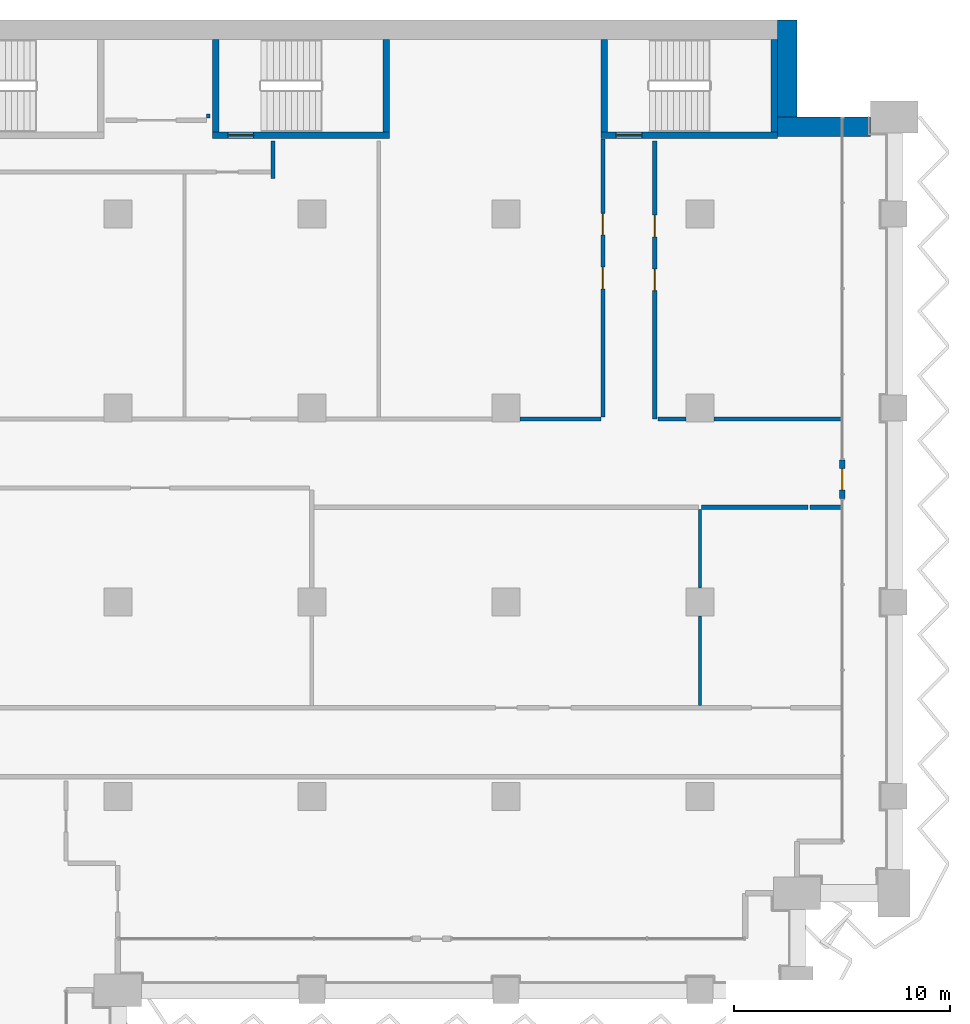
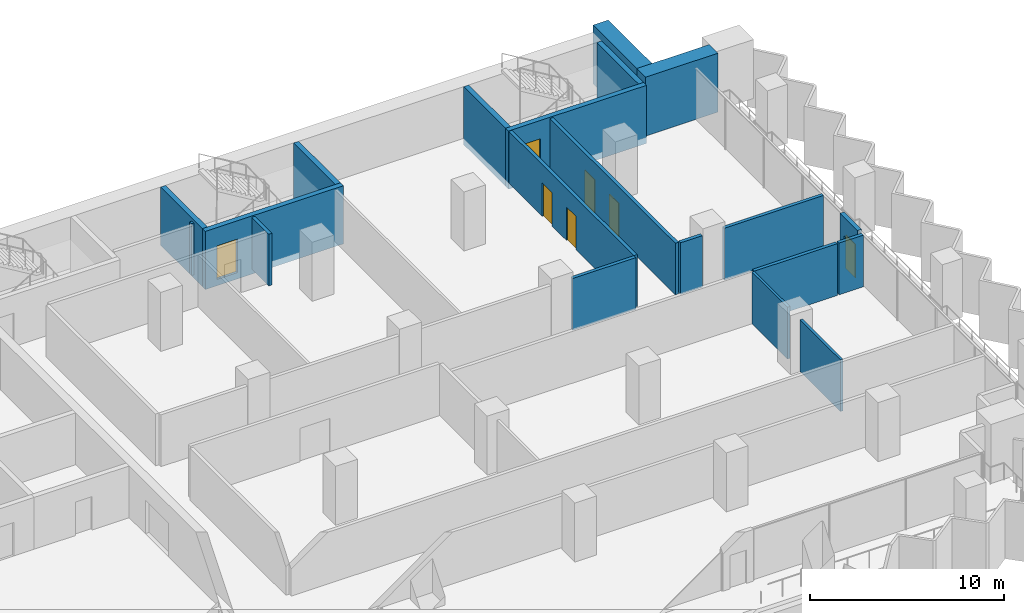
# One storey, part 15 of 23: 20 walls, 7 doors, 7 openings.
"""IFC4 building model written with IfcOpenShell, lengths in metres."""

from ifc_helpers import new_model, si_unit, direction, frame, frame_2d, origin, place, context, subcontext, project, spatial, rectangle, extrude, material, layer, layer_set, type_object, element, fill, save


model = new_model("IFC4")

# Units and contexts
model_context = context("Model", 3, precision=1e-05, world=origin(), true_north=direction((0.0, 1.0)))
body_context = subcontext(model_context, "Body", "Model", "MODEL_VIEW")
ifc_project = project(units=[si_unit("LENGTHUNIT", "METRE"), si_unit("AREAUNIT", "SQUARE_METRE"), si_unit("VOLUMEUNIT", "CUBIC_METRE"), si_unit("PLANEANGLEUNIT", "RADIAN"), si_unit("MASSUNIT", "GRAM", prefix="KILO")], contexts=[model_context])

# Site, building, storey
site_placement = place(None, origin())
site = spatial("IfcSite", under=ifc_project, at=site_placement, CompositionType="ELEMENT")
building_placement = place(site_placement, origin())
building = spatial("IfcBuilding", under=site, at=building_placement, Name="Hunhe Ridgeline Campus", CompositionType="ELEMENT")
storey_placement = place(building_placement, frame((0.0, 0.0, 125.5)))
storey = spatial("IfcBuildingStorey", under=building, at=storey_placement, Name="L31", CompositionType="ELEMENT", Elevation=125.5)

# Walls
ifc_material_1 = material(Name="Gypsum board partition")
ifc_layer_1 = layer(ifc_material_1, 0.199951171875)
ifc_layer_set_1 = layer_set([ifc_layer_1], Name="Corridor partition 200 gypsum board on steel studs")
wall_type_1 = type_object("IfcWallType", Name="Corridor partition 200 gypsum board on steel studs", PredefinedType="PARTITIONING", material=ifc_layer_set_1)
wall_1_placement = place(storey_placement, frame((76.9990234375, 76.40087890625, 0.0), z_axis=(0.0, 0.0, 1.0), x_axis=(-1.0, 0.0, 0.0)))
element("IfcWall", 1, at=wall_1_placement, inside=storey, type_object=wall_type_1, Name="F-L31-wall-042", PredefinedType="PARTITIONING", context=body_context, shape_type="SweptSolid", body=[
    extrude(rectangle(XDim=4.924072265625, YDim=0.199951171875, at=frame_2d((2.4619140625, 0.0))), origin(), (0.0, 0.0, 1.0), 3.25),
])
wall_2_placement = place(storey_placement, frame((78.544921875, 76.40087890625, 0.0), z_axis=(0.0, 0.0, 1.0), x_axis=(-1.0, 0.0, 0.0)))
element("IfcWall", 2, at=wall_2_placement, inside=storey, type_object=wall_type_1, Name="F-L31-wall-043", PredefinedType="PARTITIONING", context=body_context, shape_type="SweptSolid", body=[
    extrude(rectangle(XDim=1.44580078125, YDim=0.199951171875, at=frame_2d((0.722900390625, 0.0))), origin(), (0.0, 0.0, 1.0), 3.25),
])
wall_3_placement = place(storey_placement, frame((63.64990234375, 80.5, 0.0), z_axis=(0.0, 0.0, 1.0), x_axis=(1.0, 0.0, 0.0)))
element("IfcWall", 3, at=wall_3_placement, inside=storey, type_object=wall_type_1, Name="F-L31-wall-048", PredefinedType="PARTITIONING", context=body_context, shape_type="SweptSolid", body=[
    extrude(rectangle(XDim=3.75, YDim=0.199951171875, at=frame_2d((1.875, 0.0))), origin(), (0.0, 0.0, 1.0), 3.25),
])
wall_4_placement = place(storey_placement, frame((70.056884765625, 80.5, 0.0), z_axis=(0.0, 0.0, 1.0), x_axis=(1.0, 0.0, 0.0)))
element("IfcWall", 4, at=wall_4_placement, inside=storey, type_object=wall_type_1, Name="F-L31-wall-049", PredefinedType="PARTITIONING", context=body_context, shape_type="SweptSolid", body=[
    extrude(rectangle(XDim=1.293212890625, YDim=0.199951171875, at=frame_2d((0.646484375, 0.0))), origin(), (0.0, 0.0, 1.0), 3.25),
])
wall_5_placement = place(storey_placement, frame((72.64990234375, 80.5, 0.0), z_axis=(0.0, 0.0, 1.0), x_axis=(1.0, 0.0, 0.0)))
element("IfcWall", 5, at=wall_5_placement, inside=storey, type_object=wall_type_1, Name="F-L31-wall-050", PredefinedType="PARTITIONING", context=body_context, shape_type="SweptSolid", body=[
    extrude(rectangle(XDim=5.89501953125, YDim=0.199951171875, at=frame_2d((2.947509765625, 0.0))), origin(), (0.0, 0.0, 1.0), 3.25),
])
wall_6_placement = place(storey_placement, frame((52.199951171875, 93.39599609375, 0.0), z_axis=(0.0, 0.0, 1.0), x_axis=(0.0, -1.0, 0.0)))
element("IfcWall", 6, at=wall_6_placement, inside=storey, type_object=wall_type_1, Name="F-L31-wall-071", PredefinedType="PARTITIONING", context=body_context, shape_type="SweptSolid", body=[
    extrude(rectangle(XDim=1.74609375, YDim=0.199951171875, at=frame_2d((0.873046875, 0.0))), origin(), (0.0, 0.0, 1.0), 3.25),
])

# Wall, openings, doors
wall_7_placement = place(storey_placement, frame((67.5, 80.60009765625, 0.0), z_axis=(0.0, 0.0, 1.0), x_axis=(0.0, 1.0, 0.0)))
wall_7 = element("IfcWall", 7, at=wall_7_placement, inside=storey, type_object=wall_type_1, Name="F-L31-wall-075", PredefinedType="PARTITIONING", context=body_context, shape_type="SweptSolid", body=[
    extrude(rectangle(XDim=12.869873046875, YDim=0.199951171875, at=frame_2d((6.43505859375, 0.0))), origin(), (0.0, 0.0, 1.0), 3.25),
])
opening_1_placement = place(wall_7_placement, frame((5.93505859375, 0.0, 0.0)))
opening_1 = element("IfcOpeningElement", 8, at=opening_1_placement, cuts=wall_7, Name="Opening RD1-030", PredefinedType="OPENING", context=body_context, shape_type="SweptSolid", body=[
    extrude(rectangle(XDim=1.0, YDim=2.10009765625, at=frame_2d((0.5, 1.050048828125))), frame((0.0, 0.10009765625, 0.0), z_axis=(0.0, -1.0, 0.0), x_axis=(1.0, 0.0, 0.0)), (0.0, 0.0, 1.0), 0.199951171875),
])
opening_2_placement = place(wall_7_placement, frame((8.43505859375, 0.0, 0.0)))
opening_2 = element("IfcOpeningElement", 9, at=opening_2_placement, cuts=wall_7, Name="Opening RD1-033", PredefinedType="OPENING", context=body_context, shape_type="SweptSolid", body=[
    extrude(rectangle(XDim=1.0, YDim=2.10009765625, at=frame_2d((0.5, 1.050048828125))), frame((0.0, 0.10009765625, 0.0), z_axis=(0.0, -1.0, 0.0), x_axis=(1.0, 0.0, 0.0)), (0.0, 0.0, 1.0), 0.199951171875),
])
ifc_material_2 = material(Name="Timber door leaf", Category="wood")
door_type_1 = type_object("IfcDoorType", Name="Single fire door 1000x2100 timber FD60", OperationType="NOTDEFINED", PredefinedType="DOOR", material=ifc_material_2)
door_1_placement = place(opening_1_placement, frame((1.0, 0.0, 0.0), z_axis=(0.0, 0.0, 1.0), x_axis=(-1.0, 0.0, 0.0)))
door_1 = element("IfcDoor", 10, at=door_1_placement, inside=storey, type_object=door_type_1, Name="F-L31-door-030", OperationType="SINGLE_SWING_LEFT", OverallHeight=2.10009765625, OverallWidth=1.0, PredefinedType="DOOR", context=body_context, shape_type="SweptSolid", body=[
    extrude(rectangle(XDim=1.0, YDim=2.10009765625, at=frame_2d((0.5, 1.050048828125))), frame((0.0, 0.02490234375, 0.0), z_axis=(0.0, -1.0, 0.0), x_axis=(1.0, 0.0, 0.0)), (0.0, 0.0, 1.0), 0.050048828125),
])
fill(opening_1, door_1)
door_2_placement = place(opening_2_placement, frame((1.0, 0.0, 0.0), z_axis=(0.0, 0.0, 1.0), x_axis=(-1.0, 0.0, 0.0)))
door_2 = element("IfcDoor", 11, at=door_2_placement, inside=storey, type_object=door_type_1, Name="F-L31-door-033", OperationType="SINGLE_SWING_LEFT", OverallHeight=2.10009765625, OverallWidth=1.0, PredefinedType="DOOR", context=body_context, shape_type="SweptSolid", body=[
    extrude(rectangle(XDim=1.0, YDim=2.10009765625, at=frame_2d((0.5, 1.050048828125))), frame((0.0, 0.02490234375, 0.0), z_axis=(0.0, -1.0, 0.0), x_axis=(1.0, 0.0, 0.0)), (0.0, 0.0, 1.0), 0.050048828125),
])
fill(opening_2, door_2)

wall_8_placement = place(storey_placement, frame((69.89990234375, 93.39599609375, 0.0), z_axis=(0.0, 0.0, 1.0), x_axis=(0.0, -1.0, 0.0)))
wall_8 = element("IfcWall", 12, at=wall_8_placement, inside=storey, type_object=wall_type_1, Name="F-L31-wall-076", PredefinedType="PARTITIONING", context=body_context, shape_type="SweptSolid", body=[
    extrude(rectangle(XDim=12.89599609375, YDim=0.199951171875, at=frame_2d((6.447998046875, 0.0))), origin(), (0.0, 0.0, 1.0), 3.25),
])
opening_3_placement = place(wall_8_placement, frame((5.947998046875, 0.0, 0.0)))
opening_3 = element("IfcOpeningElement", 13, at=opening_3_placement, cuts=wall_8, Name="Opening RD1-029", PredefinedType="OPENING", context=body_context, shape_type="SweptSolid", body=[
    extrude(rectangle(XDim=1.0, YDim=2.10009765625, at=frame_2d((0.5, 1.050048828125))), frame((0.0, 0.10009765625, 0.0), z_axis=(0.0, -1.0, 0.0), x_axis=(1.0, 0.0, 0.0)), (0.0, 0.0, 1.0), 0.199951171875),
])
opening_4_placement = place(wall_8_placement, frame((3.447998046875, 0.0, 0.0)))
opening_4 = element("IfcOpeningElement", 14, at=opening_4_placement, cuts=wall_8, Name="Opening RD1-032", PredefinedType="OPENING", context=body_context, shape_type="SweptSolid", body=[
    extrude(rectangle(XDim=1.0, YDim=2.10009765625, at=frame_2d((0.5, 1.050048828125))), frame((0.0, 0.10009765625, 0.0), z_axis=(0.0, -1.0, 0.0), x_axis=(1.0, 0.0, 0.0)), (0.0, 0.0, 1.0), 0.199951171875),
])
door_3_placement = place(opening_3_placement, frame((1.0, 0.0, 0.0), z_axis=(0.0, 0.0, 1.0), x_axis=(-1.0, 0.0, 0.0)))
door_3 = element("IfcDoor", 15, at=door_3_placement, inside=storey, type_object=door_type_1, Name="F-L31-door-029", OperationType="SINGLE_SWING_RIGHT", OverallHeight=2.10009765625, OverallWidth=1.0, PredefinedType="DOOR", context=body_context, shape_type="SweptSolid", body=[
    extrude(rectangle(XDim=1.0, YDim=2.10009765625, at=frame_2d((0.5, 1.050048828125))), frame((0.0, 0.02490234375, 0.0), z_axis=(0.0, -1.0, 0.0), x_axis=(1.0, 0.0, 0.0)), (0.0, 0.0, 1.0), 0.050048828125),
])
fill(opening_3, door_3)
door_4_placement = place(opening_4_placement, frame((1.0, 0.0, 0.0), z_axis=(0.0, 0.0, 1.0), x_axis=(-1.0, 0.0, 0.0)))
door_4 = element("IfcDoor", 16, at=door_4_placement, inside=storey, type_object=door_type_1, Name="F-L31-door-032", OperationType="SINGLE_SWING_RIGHT", OverallHeight=2.10009765625, OverallWidth=1.0, PredefinedType="DOOR", context=body_context, shape_type="SweptSolid", body=[
    extrude(rectangle(XDim=1.0, YDim=2.10009765625, at=frame_2d((0.5, 1.050048828125))), frame((0.0, 0.02490234375, 0.0), z_axis=(0.0, -1.0, 0.0), x_axis=(1.0, 0.0, 0.0)), (0.0, 0.0, 1.0), 0.050048828125),
])
fill(opening_4, door_4)

# Wall, opening, door
ifc_material_3 = material(Name="Concrete C30", Category="concrete")
ifc_layer_2 = layer(ifc_material_3, 0.25)
ifc_layer_set_2 = layer_set([ifc_layer_2], Name="Loggia door pier wall 250 Concrete C30")
wall_type_2 = type_object("IfcWallType", Name="Loggia door pier wall 250 Concrete C30", PredefinedType="SOLIDWALL", material=ifc_layer_set_2)
wall_9_placement = place(storey_placement, frame((78.59912109375, 76.800537109375, 0.0), z_axis=(0.0, 0.0, 1.0), x_axis=(0.0, 1.0, 0.0)))
wall_9 = element("IfcWall", 17, at=wall_9_placement, inside=storey, type_object=wall_type_2, Name="Loggia door pier 5", PredefinedType="SOLIDWALL", context=body_context, shape_type="SweptSolid", body=[
    extrude(rectangle(XDim=1.800048828125, YDim=0.25, at=frame_2d((0.89990234375, 0.0))), origin(), (0.0, 0.0, 1.0), 3.25),
])
opening_5_placement = place(wall_9_placement, frame((0.39990234375, 0.0, 0.0)))
opening_5 = element("IfcOpeningElement", 18, at=opening_5_placement, cuts=wall_9, Name="Opening BD207", PredefinedType="OPENING", context=body_context, shape_type="SweptSolid", body=[
    extrude(rectangle(XDim=1.0, YDim=2.10009765625, at=frame_2d((0.5, 1.050048828125))), frame((0.0, 0.125, 0.0), z_axis=(0.0, -1.0, 0.0), x_axis=(1.0, 0.0, 0.0)), (0.0, 0.0, 1.0), 0.25),
])
ifc_material_4 = material(Name="Aluminium 6063", Category="aluminium")
door_type_2 = type_object("IfcDoorType", Name="Loggia glazed door 1000x2100", OperationType="NOTDEFINED", PredefinedType="DOOR", material=ifc_material_4)
door_5_placement = place(opening_5_placement, frame((1.0, 0.0, 0.0), z_axis=(0.0, 0.0, 1.0), x_axis=(-1.0, 0.0, 0.0)))
door_5 = element("IfcDoor", 19, at=door_5_placement, inside=storey, type_object=door_type_2, Name="Loggia door BD207", OperationType="SINGLE_SWING_RIGHT", OverallHeight=2.10009765625, OverallWidth=1.0, PredefinedType="DOOR", context=body_context, shape_type="SweptSolid", body=[
    extrude(rectangle(XDim=1.0, YDim=2.10009765625, at=frame_2d((0.5, 1.050048828125))), frame((0.0, 0.02490234375, 0.0), z_axis=(0.0, -1.0, 0.0), x_axis=(1.0, 0.0, 0.0)), (0.0, 0.0, 1.0), 0.050048828125),
])
fill(opening_5, door_5)

# Walls
ifc_layer_3 = layer(ifc_material_1, 0.14990234375)
ifc_layer_set_3 = layer_set([ifc_layer_3], Name="Room partition 150 gypsum board on steel studs")
wall_type_3 = type_object("IfcWallType", Name="Room partition 150 gypsum board on steel studs", PredefinedType="PARTITIONING", material=ifc_layer_set_3)
wall_10_placement = place(storey_placement, frame((49.199951171875, 94.64990234375, 0.0), z_axis=(0.0, 0.0, 1.0), x_axis=(0.0, -1.0, 0.0)))
element("IfcWall", 20, at=wall_10_placement, inside=storey, type_object=wall_type_3, Name="F-L31-wall-070", PredefinedType="PARTITIONING", context=body_context, shape_type="SweptSolid", body=[
    extrude(rectangle(XDim=0.199951171875, YDim=0.14990234375, at=frame_2d((0.10009765625, 0.0))), origin(), (0.0, 0.0, 1.0), 3.25),
])
wall_11_placement = place(storey_placement, frame((72.0, 71.35009765625, 0.0), z_axis=(0.0, 0.0, 1.0), x_axis=(0.0, -1.0, 0.0)))
element("IfcWall", 21, at=wall_11_placement, inside=storey, type_object=wall_type_3, Name="F-L31-wall-077", PredefinedType="PARTITIONING", context=body_context, shape_type="SweptSolid", body=[
    extrude(rectangle(XDim=4.150146484375, YDim=0.14990234375, at=frame_2d((2.0751953125, 0.0))), origin(), (0.0, 0.0, 1.0), 3.25),
])
wall_12_placement = place(storey_placement, frame((72.0, 76.301025390625, 0.0), z_axis=(0.0, 0.0, 1.0), x_axis=(0.0, -1.0, 0.0)))
element("IfcWall", 22, at=wall_12_placement, inside=storey, type_object=wall_type_3, Name="F-L31-wall-078", PredefinedType="PARTITIONING", context=body_context, shape_type="SweptSolid", body=[
    extrude(rectangle(XDim=3.651123046875, YDim=0.14990234375, at=frame_2d((1.82568359375, 0.0))), origin(), (0.0, 0.0, 1.0), 3.25),
])
ifc_material_5 = material(Name="Concrete C70", Category="concrete")
ifc_layer_4 = layer(ifc_material_5, 0.89990234375)
ifc_layer_set_4 = layer_set([ifc_layer_4], Name="Spine wall 900 Concrete C70")
wall_type_4 = type_object("IfcWallType", Name="Spine wall 900 Concrete C70", PredefinedType="SHEAR", material=ifc_layer_set_4)
wall_13_placement = place(storey_placement, frame((79.89990234375, 94.050048828125, 0.0), z_axis=(0.0, 0.0, 1.0), x_axis=(-1.0, 0.0, 0.0)))
element("IfcWall", 23, at=wall_13_placement, inside=storey, type_object=wall_type_4, Name="Spine wall SW2-2 L31", PredefinedType="SHEAR", context=body_context, shape_type="SweptSolid", body=[
    extrude(rectangle(XDim=4.30029296875, YDim=0.89990234375, at=frame_2d((2.150146484375, 0.0))), origin(), (0.0, 0.0, 1.0), 3.699951171875),
])
wall_14_placement = place(storey_placement, frame((76.050048828125, 93.60009765625, 0.0), z_axis=(0.0, 0.0, 1.0), x_axis=(0.0, 1.0, 0.0)))
element("IfcWall", 24, at=wall_14_placement, inside=storey, type_object=wall_type_4, Name="Spine wall SW2-3 L31", PredefinedType="SHEAR", context=body_context, shape_type="SweptSolid", body=[
    extrude(rectangle(XDim=5.39990234375, YDim=0.89990234375, at=frame_2d((2.699951171875, 0.0))), origin(), (0.0, 0.0, 1.0), 3.699951171875),
])

# Wall, opening, door
ifc_material_6 = material(Name="Concrete C80", Category="concrete")
ifc_layer_5 = layer(ifc_material_6, 0.300048828125)
ifc_layer_set_5 = layer_set([ifc_layer_5], Name="Stair wall 300 reinforced concrete C80")
wall_type_5 = type_object("IfcWallType", Name="Stair wall 300 reinforced concrete C80", PredefinedType="SOLIDWALL", material=ifc_layer_set_5)
wall_15_placement = place(storey_placement, frame((49.39990234375, 93.64990234375, -0.39990234375), z_axis=(0.0, 0.0, 1.0), x_axis=(1.0, 0.0, 0.0)))
wall_15 = element("IfcWall", 25, at=wall_15_placement, inside=storey, type_object=wall_type_5, Name="L31 core wall 29", PredefinedType="SOLIDWALL", context=body_context, shape_type="SweptSolid", body=[
    extrude(rectangle(XDim=8.2001953125, YDim=0.300048828125, at=frame_2d((4.10009765625, 0.0))), origin(), (0.0, 0.0, 1.0), 3.64990234375),
])
opening_6_placement = place(wall_15_placement, frame((0.699951171875, 0.0, 0.39990234375)))
opening_6 = element("IfcOpeningElement", 26, at=opening_6_placement, cuts=wall_15, Name="Opening CD18", PredefinedType="OPENING", context=body_context, shape_type="SweptSolid", body=[
    extrude(rectangle(XDim=1.199951171875, YDim=2.10009765625, at=frame_2d((0.60009765625, 1.050048828125))), frame((0.0, 0.14990234375, 0.0), z_axis=(0.0, -1.0, 0.0), x_axis=(1.0, 0.0, 0.0)), (0.0, 0.0, 1.0), 0.300048828125),
])
ifc_material_7 = material(Name="Hollow metal fire door leaf")
door_type_3 = type_object("IfcDoorType", Name="Stair door 1200x2100 FD60", OperationType="SINGLE_SWING_LEFT", PredefinedType="DOOR", material=ifc_material_7)
door_6_placement = place(opening_6_placement, frame((1.199951171875, 0.0, 0.0), z_axis=(0.0, 0.0, 1.0), x_axis=(-1.0, 0.0, 0.0)))
door_6 = element("IfcDoor", 27, at=door_6_placement, inside=storey, type_object=door_type_3, Name="L31 door E2", OperationType="SINGLE_SWING_LEFT", OverallHeight=2.10009765625, OverallWidth=1.199951171875, PredefinedType="DOOR", context=body_context, shape_type="SweptSolid", body=[
    extrude(rectangle(XDim=1.199951171875, YDim=2.10009765625, at=frame_2d((0.60009765625, 1.050048828125))), frame((0.0, 0.02490234375, 0.0), z_axis=(0.0, -1.0, 0.0), x_axis=(1.0, 0.0, 0.0)), (0.0, 0.0, 1.0), 0.050048828125),
])
fill(opening_6, door_6)

wall_16_placement = place(storey_placement, frame((67.39990234375, 93.64990234375, -0.39990234375), z_axis=(0.0, 0.0, 1.0), x_axis=(1.0, 0.0, 0.0)))
wall_16 = element("IfcWall", 28, at=wall_16_placement, inside=storey, type_object=wall_type_5, Name="L31 core wall 30", PredefinedType="SOLIDWALL", context=body_context, shape_type="SweptSolid", body=[
    extrude(rectangle(XDim=8.2001953125, YDim=0.300048828125, at=frame_2d((4.10009765625, 0.0))), origin(), (0.0, 0.0, 1.0), 3.64990234375),
])
opening_7_placement = place(wall_16_placement, frame((0.699951171875, 0.0, 0.39990234375)))
opening_7 = element("IfcOpeningElement", 29, at=opening_7_placement, cuts=wall_16, Name="Opening CD19", PredefinedType="OPENING", context=body_context, shape_type="SweptSolid", body=[
    extrude(rectangle(XDim=1.199951171875, YDim=2.10009765625, at=frame_2d((0.60009765625, 1.050048828125))), frame((0.0, 0.14990234375, 0.0), z_axis=(0.0, -1.0, 0.0), x_axis=(1.0, 0.0, 0.0)), (0.0, 0.0, 1.0), 0.300048828125),
])
door_7_placement = place(opening_7_placement, frame((1.199951171875, 0.0, 0.0), z_axis=(0.0, 0.0, 1.0), x_axis=(-1.0, 0.0, 0.0)))
door_7 = element("IfcDoor", 30, at=door_7_placement, inside=storey, type_object=door_type_3, Name="L31 door E3", OperationType="SINGLE_SWING_RIGHT", OverallHeight=2.10009765625, OverallWidth=1.199951171875, PredefinedType="DOOR", context=body_context, shape_type="SweptSolid", body=[
    extrude(rectangle(XDim=1.199951171875, YDim=2.10009765625, at=frame_2d((0.60009765625, 1.050048828125))), frame((0.0, 0.02490234375, 0.0), z_axis=(0.0, -1.0, 0.0), x_axis=(1.0, 0.0, 0.0)), (0.0, 0.0, 1.0), 0.050048828125),
])
fill(opening_7, door_7)

# Walls
for number, where, z_axis, x_axis, name in (
    (31, (49.550048828125, 93.800048828125, -0.39990234375), (0.0, 0.0, 1.0), (0.0, 1.0, 0.0), "L31 core wall 64"),
    (32, (57.449951171875, 93.800048828125, -0.39990234375), (0.0, 0.0, 1.0), (0.0, 1.0, 0.0), "L31 core wall 65"),
    (33, (67.550048828125, 93.800048828125, -0.39990234375), (0.0, 0.0, 1.0), (0.0, 1.0, 0.0), "L31 core wall 66"),
    (34, (75.449951171875, 93.800048828125, -0.39990234375), (0.0, 0.0, 1.0), (0.0, 1.0, 0.0), "L31 core wall 67"),
):
    element("IfcWall", number, at=place(storey_placement, frame(where, z_axis=z_axis, x_axis=x_axis)), inside=storey, type_object=wall_type_5, Name=name, PredefinedType="SOLIDWALL", context=body_context, shape_type="SweptSolid", body=[
        extrude(rectangle(XDim=4.300048828125, YDim=0.300048828125, at=frame_2d((2.14990234375, 0.0))), origin(), (0.0, 0.0, 1.0), 3.64990234375),
    ])

save(model, "model.ifc")
